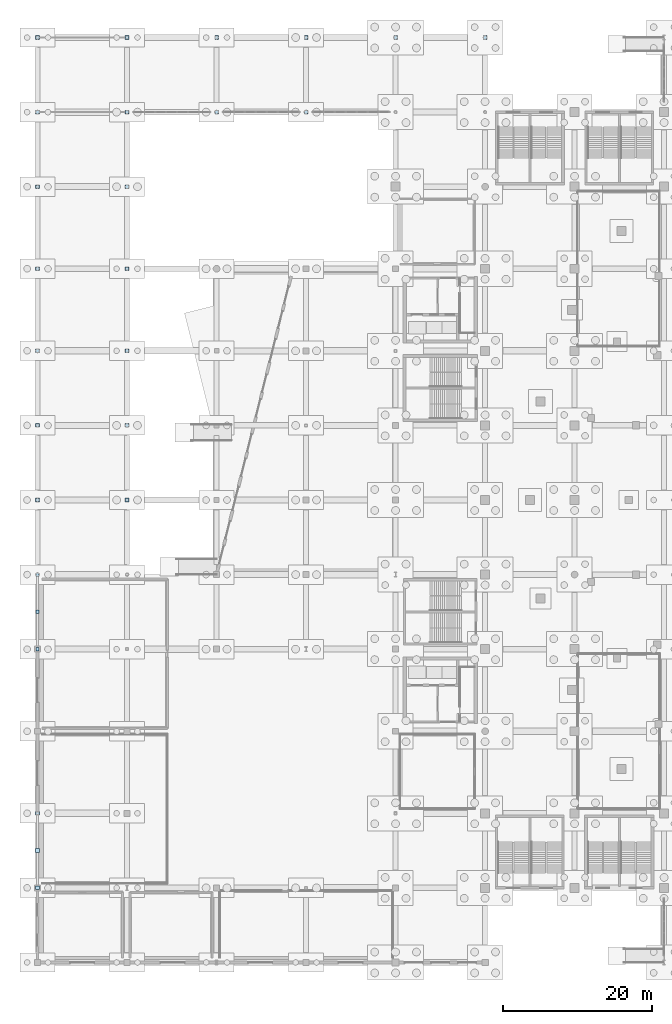
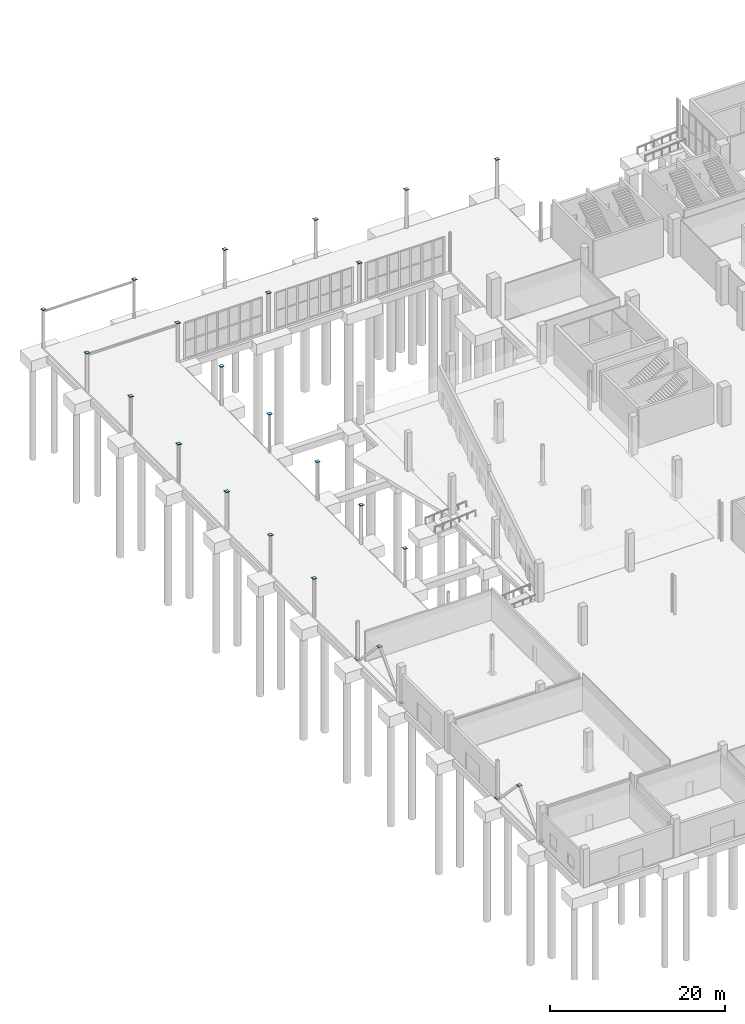
# One storey, part 46 of 70: 26 plates.
"""IFC4 building model written with IfcOpenShell, lengths in metres."""

from ifc_helpers import new_model, si_unit, direction, frame, origin, origin_2d, place, context, subcontext, project, spatial, rectangle, extrude, material, layer, layer_set, type_object, element, save


model = new_model("IFC4")

# Units and contexts
model_context = context("Model", 3, precision=1e-05, world=origin(), true_north=direction((0.0, 1.0)))
body_context = subcontext(model_context, "Body", "Model", "MODEL_VIEW")
ifc_project = project(units=[si_unit("LENGTHUNIT", "METRE"), si_unit("AREAUNIT", "SQUARE_METRE"), si_unit("VOLUMEUNIT", "CUBIC_METRE"), si_unit("PLANEANGLEUNIT", "RADIAN"), si_unit("MASSUNIT", "GRAM", prefix="KILO")], contexts=[model_context])

# Site, building, storey
site_placement = place(None, origin())
site = spatial("IfcSite", under=ifc_project, at=site_placement, CompositionType="ELEMENT")
building_placement = place(site_placement, origin())
building = spatial("IfcBuilding", under=site, at=building_placement, Name="Brinegate Civic Arena", CompositionType="ELEMENT")
storey_placement = place(building_placement, origin())
storey = spatial("IfcBuildingStorey", under=building, at=storey_placement, Name="L00", CompositionType="ELEMENT", Elevation=0.0)

# Plates
ifc_material = material(Name="Steel S355", Category="steel")
ifc_layer_1 = layer(ifc_material, 0.02392578125, Name="Steel S355")
ifc_layer_set_1 = layer_set([ifc_layer_1], Name="Steel S355")
plate_type_1 = type_object("IfcPlateType", Name="PLATE-BASE-480X24", PredefinedType="SHEET", material=ifc_layer_set_1)
for number, where, z_axis, x_axis, name in (
    (1, (0.0, 62.0, 5.39697265625), (0.0, 0.0, 1.0), (1.0, 0.0, 0.0), "Welded Steel Column Node Cap Plate CPL-TOP-003"),
    (2, (0.0, 72.0, 5.39697265625), (0.0, 0.0, 1.0), (1.0, 0.0, 0.0), "Welded Steel Column Node Cap Plate CPL-TOP-004"),
    (3, (0.0, 82.0, 5.39697265625), (0.0, 0.0, 1.0), (1.0, 0.0, 0.0), "Welded Steel Column Node Cap Plate CPL-TOP-005"),
    (4, (0.0, 93.0, 5.39697265625), (0.0, 0.0, 1.0), (1.0, 0.0, 0.0), "Welded Steel Column Node Cap Plate CPL-TOP-006"),
    (5, (0.0, 104.0, 5.39697265625), (0.0, 0.0, 1.0), (1.0, 0.0, 0.0), "Welded Steel Column Node Cap Plate CPL-TOP-007"),
    (6, (0.0, 114.0, 5.39697265625), (0.0, 0.0, 1.0), (1.0, 0.0, 0.0), "Welded Steel Column Node Cap Plate CPL-TOP-008"),
    (7, (0.0, 124.0, 5.39697265625), (0.0, 0.0, 1.0), (1.0, 0.0, 0.0), "Welded Steel Column Node Cap Plate CPL-TOP-009"),
    (8, (12.0, 62.0, 5.39697265625), (0.0, 0.0, 1.0), (1.0, 0.0, 0.0), "Welded Steel Column Node Cap Plate CPL-TOP-012"),
    (9, (12.0, 72.0, 5.39697265625), (0.0, 0.0, 1.0), (1.0, 0.0, 0.0), "Welded Steel Column Node Cap Plate CPL-TOP-013"),
    (10, (12.0, 82.0, 5.39697265625), (0.0, 0.0, 1.0), (1.0, 0.0, 0.0), "Welded Steel Column Node Cap Plate CPL-TOP-014"),
    (11, (12.0, 93.0, 5.39697265625), (0.0, 0.0, 1.0), (1.0, 0.0, 0.0), "Welded Steel Column Node Cap Plate CPL-TOP-015"),
    (12, (12.0, 104.0, 5.39697265625), (0.0, 0.0, 1.0), (1.0, 0.0, 0.0), "Welded Steel Column Node Cap Plate CPL-TOP-016"),
    (13, (12.0, 114.0, 5.39697265625), (0.0, 0.0, 1.0), (1.0, 0.0, 0.0), "Welded Steel Column Node Cap Plate CPL-TOP-017"),
    (14, (12.0, 124.0, 5.39697265625), (0.0, 0.0, 1.0), (1.0, 0.0, 0.0), "Welded Steel Column Node Cap Plate CPL-TOP-018"),
    (15, (24.0, 114.0, 5.39697265625), (0.0, 0.0, 1.0), (1.0, 0.0, 0.0), "Welded Steel Column Node Cap Plate CPL-TOP-019"),
    (16, (24.0, 124.0, 5.39697265625), (0.0, 0.0, 1.0), (1.0, 0.0, 0.0), "Welded Steel Column Node Cap Plate CPL-TOP-020"),
    (17, (36.0, 114.0, 5.39697265625), (0.0, 0.0, 1.0), (1.0, 0.0, 0.0), "Welded Steel Column Node Cap Plate CPL-TOP-024"),
    (18, (36.0, 124.0, 5.39697265625), (0.0, 0.0, 1.0), (1.0, 0.0, 0.0), "Welded Steel Column Node Cap Plate CPL-TOP-025"),
    (19, (48.0, 124.0, 5.39697265625), (0.0, 0.0, 1.0), (1.0, 0.0, 0.0), "Welded Steel Column Node Cap Plate CPL-TOP-026"),
    (20, (60.0, 124.0, 5.39697265625), (0.0, 0.0, 1.0), (1.0, 0.0, 0.0), "Welded Steel Column Node Cap Plate CPL-TOP-027"),
):
    element("IfcPlate", number, at=place(storey_placement, frame(where, z_axis=z_axis, x_axis=x_axis)), inside=storey, type_object=plate_type_1, Name=name, PredefinedType="SHEET", context=body_context, shape_type="SweptSolid", body=[
        extrude(rectangle(XDim=0.47998046875, YDim=0.47998046875, at=origin_2d()), origin(), (0.0, 0.0, 1.0), 0.02392578125),
    ])
ifc_layer_2 = layer(ifc_material, 0.01806640625, Name="Steel S355")
ifc_layer_set_2 = layer_set([ifc_layer_2], Name="Steel S355")
plate_type_2 = type_object("IfcPlateType", Name="PLATE-GUSSET-460X18", PredefinedType="SHEET", material=ifc_layer_set_2)
for number, where, z_axis, x_axis, name in (
    (21, (0.0, 47.0, 4.930908203125), (0.0, 0.0, 1.0), (1.0, 0.0, 0.0), "Chevron Gusset Plate GPL-02"),
    (22, (0.0, 42.0, 0.140869140625), (0.0, 0.0, 1.0), (1.0, 0.0, 0.0), "Chevron Base Gusset Plate GPL-02-BA"),
    (23, (0.0, 52.0, 0.140869140625), (0.0, 0.0, 1.0), (1.0, 0.0, 0.0), "Chevron Base Gusset Plate GPL-02-BB"),
):
    element("IfcPlate", number, at=place(storey_placement, frame(where, z_axis=z_axis, x_axis=x_axis)), inside=storey, type_object=plate_type_2, Name=name, PredefinedType="SHEET", context=body_context, shape_type="SweptSolid", body=[
        extrude(rectangle(XDim=0.4599609375, YDim=0.4599609375, at=origin_2d()), origin(), (0.0, 0.0, 1.0), 0.01806640625),
    ])
ifc_layer_3 = layer(ifc_material, 0.02001953125, Name="Steel S355")
ifc_layer_set_3 = layer_set([ifc_layer_3], Name="Steel S355")
plate_type_3 = type_object("IfcPlateType", Name="PLATE-GUSSET-500X20", PredefinedType="SHEET", material=ifc_layer_set_3)
for number, where, z_axis, x_axis, name in (
    (24, (0.0, 15.0, 4.929931640625), (0.0, 0.0, 1.0), (1.0, 0.0, 0.0), "Chevron Gusset Plate GPL-01"),
    (25, (0.0, 10.0, 0.139892578125), (0.0, 0.0, 1.0), (1.0, 0.0, 0.0), "Chevron Base Gusset Plate GPL-01-BA"),
    (26, (0.0, 20.0, 0.139892578125), (0.0, 0.0, 1.0), (1.0, 0.0, 0.0), "Chevron Base Gusset Plate GPL-01-BB"),
):
    element("IfcPlate", number, at=place(storey_placement, frame(where, z_axis=z_axis, x_axis=x_axis)), inside=storey, type_object=plate_type_3, Name=name, PredefinedType="SHEET", context=body_context, shape_type="SweptSolid", body=[
        extrude(rectangle(XDim=0.5, YDim=0.5, at=origin_2d()), origin(), (0.0, 0.0, 1.0), 0.02001953125),
    ])

save(model, "model.ifc")
